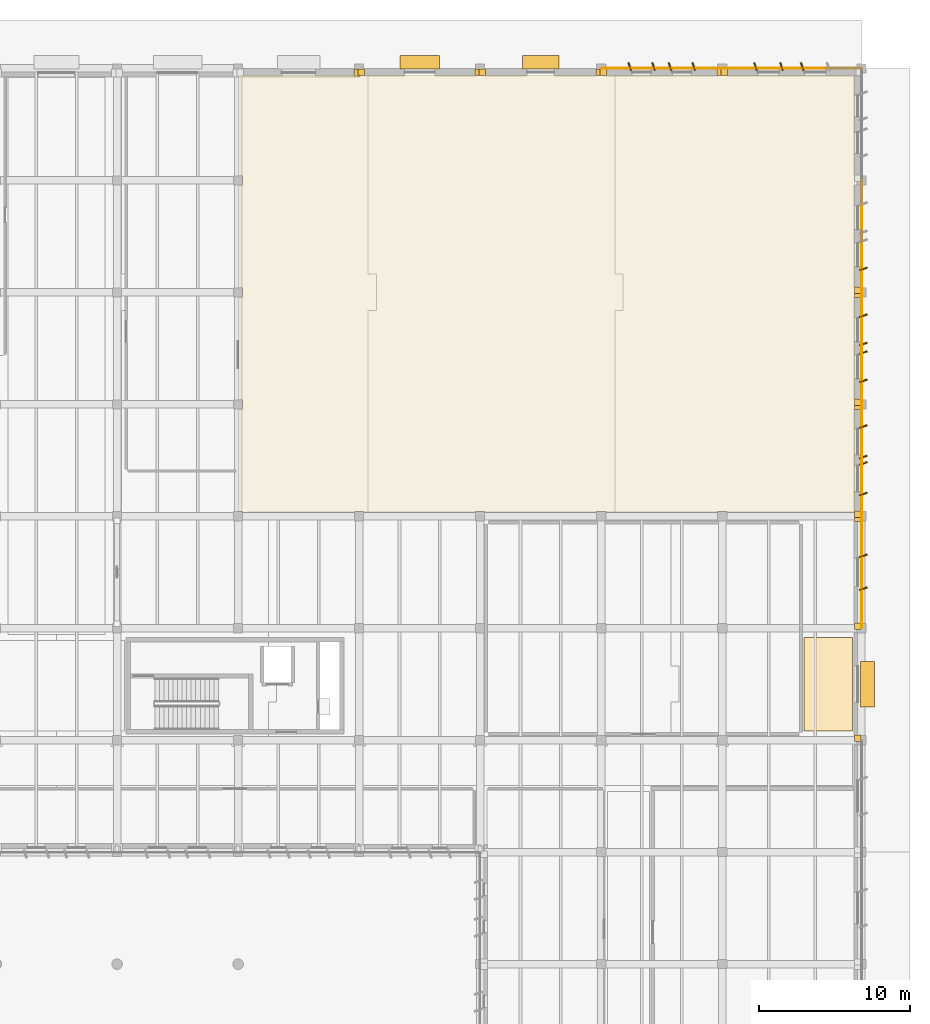
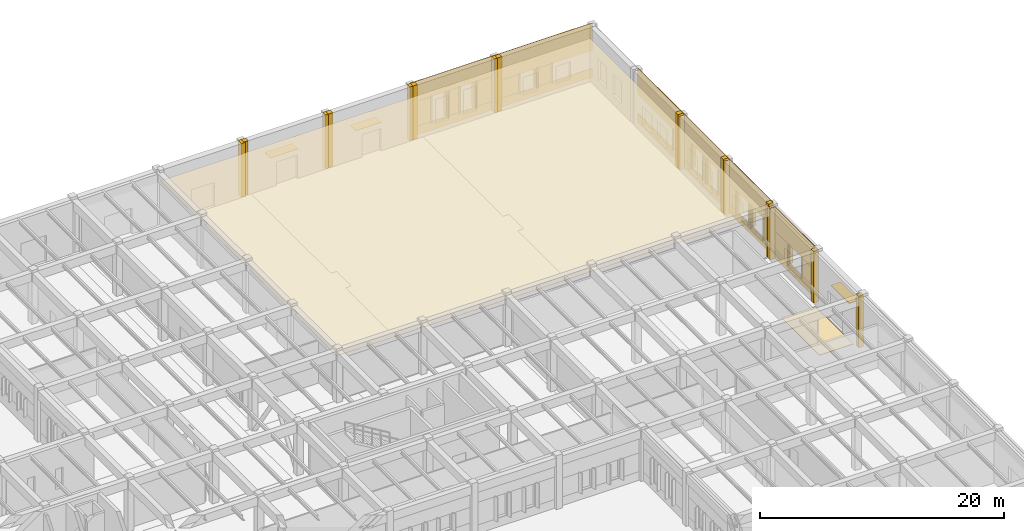
# One storey, part 55 of 56: 62 coverings, 3 shading devices.
"""IFC4 building model written with IfcOpenShell, lengths in metres."""

import ifcopenshell
import ifcopenshell.guid

model = None  # the IFC model being written
_history = None  # IfcOwnerHistory: only IFC2X3 demands one
_inside = {}  # id of a spatial element -> (the spatial element, [elements in it])
_under = {}  # id of a project, library or spatial element -> (it, [spatial elements below it])
_declared = {}  # id of a project -> (the project, [libraries it declares])
_typed = {}  # id of a type object -> (the type object, [elements of that type])
_made_of = {}  # id of a material, layer set ... -> (it, [elements and type objects made of it])


def new_model(schema):
    """Start an empty IFC model of exactly this schema.

    Asked for "IFC4X3", IfcOpenShell would pick the latest addendum, in which some entities
    have other attributes; the version numbers below select the first issue.
    IFC2X3 requires an IfcOwnerHistory on every rooted entity: one is made here for all.
    """
    global model, _history
    if schema == "IFC4X3":
        model = ifcopenshell.file(schema_version=(4, 3, 0, 0))
    else:
        model = ifcopenshell.file(schema=schema)
    _inside.clear()
    _under.clear()
    _declared.clear()
    _typed.clear()
    _made_of.clear()
    _history = None
    if model.schema == "IFC2X3":
        org = make("IfcOrganization", Name="unknown")
        user = make(
            "IfcPersonAndOrganization",
            ThePerson=make("IfcPerson", FamilyName="unknown"),
            TheOrganization=org,
        )
        app = make(
            "IfcApplication",
            ApplicationDeveloper=org,
            Version="unknown",
            ApplicationFullName="unknown",
            ApplicationIdentifier="unknown",
        )
        _history = make(
            "IfcOwnerHistory",
            OwningUser=user,
            OwningApplication=app,
            ChangeAction="ADDED",
            CreationDate=0,
        )
    return model


def make(cls, **values):
    """One entity of the class cls with the attributes given. An attribute that is None is left unset."""
    return model.create_entity(
        cls, **{name: value for name, value in values.items() if value is not None}
    )


def rooted(cls, **values):
    """An entity with a GlobalId (a new one), such as an element, a storey or a relation."""
    return make(cls, GlobalId=ifcopenshell.guid.new(), OwnerHistory=_history, **values)


def si_unit(unit_type, name, prefix=None):
    """IfcSIUnit, for example si_unit("LENGTHUNIT", "METRE", prefix="MILLI")."""
    return make("IfcSIUnit", UnitType=unit_type, Prefix=prefix, Name=name)


def assignment(units):
    """IfcUnitAssignment: the units of a project."""
    return None if units is None else make("IfcUnitAssignment", Units=units)


def point(xyz):
    """IfcCartesianPoint."""
    return None if xyz is None else make("IfcCartesianPoint", Coordinates=xyz)


def direction(xyz):
    """IfcDirection."""
    return None if xyz is None else make("IfcDirection", DirectionRatios=xyz)


def frame(location, z_axis=None, x_axis=None):
    """IfcAxis2Placement3D, a coordinate frame: its origin and axes. An axis left out is left unset."""
    return make(
        "IfcAxis2Placement3D",
        Location=point(location),
        Axis=direction(z_axis),
        RefDirection=direction(x_axis),
    )


def frame_2d(location, x_axis=None):
    """IfcAxis2Placement2D, a coordinate frame in the plane: its origin and x axis."""
    return make(
        "IfcAxis2Placement2D", Location=point(location), RefDirection=direction(x_axis)
    )


def origin():
    """The frame at (0, 0, 0) with its axes left unset."""
    return frame((0.0, 0.0, 0.0))


def origin_2d():
    """The frame at (0, 0) in the plane with its x axis left unset."""
    return frame_2d((0.0, 0.0))


def place(relative_to, where):
    """IfcLocalPlacement: puts the frame where relative to a parent placement (None: the world)."""
    return make(
        "IfcLocalPlacement", PlacementRelTo=relative_to, RelativePlacement=where
    )


def context(
    kind, dimensions, precision=None, world=None, true_north=None, identifier=None
):
    """IfcGeometricRepresentationContext, for example the 3D "Model" context."""
    return make(
        "IfcGeometricRepresentationContext",
        ContextIdentifier=identifier,
        ContextType=kind,
        CoordinateSpaceDimension=dimensions,
        Precision=precision,
        WorldCoordinateSystem=world,
        TrueNorth=true_north,
    )


def subcontext(parent, identifier, kind, view, scale=None):
    """IfcGeometricRepresentationSubContext, for example "Body" below "Model"."""
    return make(
        "IfcGeometricRepresentationSubContext",
        ContextIdentifier=identifier,
        ContextType=kind,
        ParentContext=parent,
        TargetScale=scale,
        TargetView=view,
    )


def project(units=None, contexts=None):
    """IfcProject with its units and contexts."""
    return rooted(
        "IfcProject",
        Name="project",
        RepresentationContexts=contexts,
        UnitsInContext=assignment(units),
    )


def spatial(cls, under=None, at=None, **own):
    """A site, building, storey or space (cls), placed at a placement, below another one or the project."""
    s = rooted(cls, ObjectPlacement=at, **own)
    if under is not None:
        _under.setdefault(under.id(), (under, []))[1].append(s)
    return s


def polyline(points):
    """IfcPolyline through the points."""
    return make("IfcPolyline", Points=[point(p) for p in points])


def profile(cls, at=None, kind="AREA", **sizes):
    """A parametric profile (cls). Its sizes go by their IFC names, for example OverallWidth=200.0."""
    return make(cls, ProfileType=kind, Position=at, **sizes)


def rectangle(**sizes):
    """IfcRectangleProfileDef."""
    return profile("IfcRectangleProfileDef", **sizes)


def outline(outer, holes=None, kind="AREA"):
    """IfcArbitraryClosedProfileDef: a profile drawn as a closed curve; with holes, ...WithVoids."""
    if holes is None:
        return make("IfcArbitraryClosedProfileDef", ProfileType=kind, OuterCurve=outer)
    return make(
        "IfcArbitraryProfileDefWithVoids",
        ProfileType=kind,
        OuterCurve=outer,
        InnerCurves=holes,
    )


def extrude(swept, where, along, depth):
    """IfcExtrudedAreaSolid: the profile swept, set in the frame where, extruded along a direction by depth."""
    return make(
        "IfcExtrudedAreaSolid",
        SweptArea=swept,
        Position=where,
        ExtrudedDirection=direction(along),
        Depth=depth,
    )


def shape(context_of_items, identifier, shape_type, items):
    """IfcShapeRepresentation: the items that make up one representation, for example the "Body"."""
    return make(
        "IfcShapeRepresentation",
        ContextOfItems=context_of_items,
        RepresentationIdentifier=identifier,
        RepresentationType=shape_type,
        Items=items,
    )


def material(Name=None, Category=None):
    """IfcMaterial."""
    return make("IfcMaterial", Name=Name, Category=Category)


def layer(
    of_material, thickness, ventilated=None, Name=None, Category=None, Priority=None
):
    """IfcMaterialLayer: one layer of a wall or slab, of a material (None: an air gap)."""
    return make(
        "IfcMaterialLayer",
        Material=of_material,
        LayerThickness=thickness,
        IsVentilated=ventilated,
        Name=Name,
        Category=Category,
        Priority=Priority,
    )


def layer_set(layers, Name=None):
    """IfcMaterialLayerSet."""
    return make("IfcMaterialLayerSet", MaterialLayers=layers, LayerSetName=Name)


def made_of(thing, what):
    """Note that an element or type object is made of a material, layer set ...; save() writes the relation."""
    if what is not None:
        _made_of.setdefault(what.id(), (what, []))[1].append(thing)
    return thing


def type_object(cls, material=None, **own):
    """A type object (cls), such as IfcWallType, which elements share."""
    return made_of(rooted(cls, **own), material)


def element(
    cls,
    number,
    at=None,
    inside=None,
    cuts=None,
    type_object=None,
    material=None,
    context=None,
    identifier="Body",
    shape_type=None,
    held_by="IfcProductDefinitionShape",
    body=None,
    shapes=None,
    **own,
):
    """One element of the class cls, such as IfcWall. Its Tag is "e" and its number.

    at: its placement. inside: the storey or other place that contains it. cuts: it is an
    opening in that element (IfcRelVoidsElement). A single representation is given by context,
    identifier, shape_type and body (its items); several are given by shapes. held_by: the class
    of the entity that holds the representations. save() writes the other relations.
    """
    e = rooted(cls, Tag="e%d" % number, ObjectPlacement=at, **own)
    if body is not None:
        shapes = [shape(context, identifier, shape_type, body)]
    if shapes is not None:
        e.Representation = make(held_by, Representations=shapes)
    if inside is not None:
        _inside.setdefault(inside.id(), (inside, []))[1].append(e)
    if cuts is not None:
        rooted(
            "IfcRelVoidsElement", RelatingBuildingElement=cuts, RelatedOpeningElement=e
        )
    if type_object is not None:
        _typed.setdefault(type_object.id(), (type_object, []))[1].append(e)
    return made_of(e, material)


def aggregate(whole, parts):
    """IfcRelAggregates: a whole, such as a stair, and the parts it consists of."""
    return rooted("IfcRelAggregates", RelatingObject=whole, RelatedObjects=parts)


def save(model, path):
    """Write the relations noted so far, then the file.

    IfcRelAggregates (storeys below a building ...), IfcRelContainedInSpatialStructure (elements
    in a storey), IfcRelDefinesByType, IfcRelAssociatesMaterial and IfcRelDeclares: one each for
    every whole, place, type object, material and project.
    """
    for whole, parts in _under.values():
        aggregate(whole, parts)
    for where, things in _inside.values():
        rooted(
            "IfcRelContainedInSpatialStructure",
            RelatedElements=things,
            RelatingStructure=where,
        )
    for kind, things in _typed.values():
        rooted("IfcRelDefinesByType", RelatedObjects=things, RelatingType=kind)
    for what, things in _made_of.values():
        rooted("IfcRelAssociatesMaterial", RelatedObjects=things, RelatingMaterial=what)
    for by, libraries in _declared.values():
        rooted("IfcRelDeclares", RelatingContext=by, RelatedDefinitions=libraries)
    model.write(path)


model = new_model("IFC4")

# Units and contexts
model_context = context("Model", 3, precision=1e-05, world=origin(), true_north=direction((0.0, 1.0)))
body_context = subcontext(model_context, "Body", "Model", "MODEL_VIEW")
ifc_project = project(units=[si_unit("LENGTHUNIT", "METRE"), si_unit("AREAUNIT", "SQUARE_METRE"), si_unit("VOLUMEUNIT", "CUBIC_METRE"), si_unit("PLANEANGLEUNIT", "RADIAN"), si_unit("MASSUNIT", "GRAM", prefix="KILO")], contexts=[model_context])

# Site, building, storey
site_placement = place(None, origin())
site = spatial("IfcSite", under=ifc_project, at=site_placement, CompositionType="ELEMENT")
building_placement = place(site_placement, origin())
building = spatial("IfcBuilding", under=site, at=building_placement, Name="Valkorina Park Police Headquarters", CompositionType="ELEMENT")
storey_placement = place(building_placement, origin())
storey = spatial("IfcBuildingStorey", under=building, at=storey_placement, Name="L01", CompositionType="ELEMENT", Elevation=0.0)

# Coverings
ifc_material_1 = material(Name="Acoustic mineral board")
ifc_layer_1 = layer(ifc_material_1, 0.02490234375)
ifc_layer_set_1 = layer_set([ifc_layer_1], Name="Acoustic mineral board")
covering_type_1 = type_object("IfcCoveringType", Name="COV-CEILING-ACOUST", PredefinedType="CEILING", material=ifc_layer_set_1)
covering_1_placement = place(storey_placement, frame((0.0, 0.0, 4.264892578125)))
element("IfcCovering", 1, at=covering_1_placement, inside=storey, type_object=covering_type_1, Name="Tactical Gymnasium Acoustic Suspended Ceiling", PredefinedType="CEILING", context=body_context, shape_type="SweptSolid", body=[
    extrude(outline(polyline([(120.850830078125, 81.699951171875), (121.10009765625, 81.699951171875), (121.10009765625, 81.65087890625), (121.102294921875, 81.6494140625), (121.109375, 81.64599609375), (121.11669921875, 81.643310546875), (121.12451171875, 81.6416015625), (121.132080078125, 81.640380859375), (121.139892578125, 81.639892578125), (128.4599609375, 81.639892578125), (128.4677734375, 81.640380859375), (128.4755859375, 81.6416015625), (128.483154296875, 81.643310546875), (128.490478515625, 81.64599609375), (128.497802734375, 81.6494140625), (128.5, 81.65087890625), (128.5, 81.699951171875), (129.10009765625, 81.699951171875), (129.10009765625, 81.65087890625), (129.102294921875, 81.6494140625), (129.109375, 81.64599609375), (129.11669921875, 81.643310546875), (129.12451171875, 81.6416015625), (129.132080078125, 81.640380859375), (129.139892578125, 81.639892578125), (136.4599609375, 81.639892578125), (136.4677734375, 81.640380859375), (136.4755859375, 81.6416015625), (136.483154296875, 81.643310546875), (136.490478515625, 81.64599609375), (136.497802734375, 81.6494140625), (136.5, 81.65087890625), (136.5, 81.699951171875), (137.10009765625, 81.699951171875), (137.10009765625, 81.65087890625), (137.102294921875, 81.6494140625), (137.109375, 81.64599609375), (137.11669921875, 81.643310546875), (137.12451171875, 81.6416015625), (137.132080078125, 81.640380859375), (137.139892578125, 81.639892578125), (144.4599609375, 81.639892578125), (144.4677734375, 81.640380859375), (144.4755859375, 81.6416015625), (144.483154296875, 81.643310546875), (144.490478515625, 81.64599609375), (144.497802734375, 81.6494140625), (144.5, 81.65087890625), (144.5, 81.699951171875), (145.10009765625, 81.699951171875), (145.10009765625, 81.65087890625), (145.102294921875, 81.6494140625), (145.109375, 81.64599609375), (145.11669921875, 81.643310546875), (145.12451171875, 81.6416015625), (145.132080078125, 81.640380859375), (145.139892578125, 81.639892578125), (152.4599609375, 81.639892578125), (152.4677734375, 81.640380859375), (152.4755859375, 81.6416015625), (152.483154296875, 81.643310546875), (152.490478515625, 81.64599609375), (152.497802734375, 81.6494140625), (152.5, 81.65087890625), (152.5, 81.699951171875), (153.10009765625, 81.699951171875), (153.10009765625, 81.65087890625), (153.102294921875, 81.6494140625), (153.109375, 81.64599609375), (153.11669921875, 81.643310546875), (153.12451171875, 81.6416015625), (153.132080078125, 81.640380859375), (153.139892578125, 81.639892578125), (161.47998046875, 81.639892578125), (161.48779296875, 81.640380859375), (161.49560546875, 81.6416015625), (161.503173828125, 81.643310546875), (161.510498046875, 81.64599609375), (161.517578125, 81.6494140625), (161.5244140625, 81.653564453125), (161.53076171875, 81.658203125), (161.53662109375, 81.663330078125), (161.541748046875, 81.669189453125), (161.54638671875, 81.675537109375), (161.550537109375, 81.682373046875), (161.553955078125, 81.689453125), (161.556640625, 81.69677734375), (161.55859375, 81.704345703125), (161.5595703125, 81.712158203125), (161.56005859375, 81.719970703125), (161.56005859375, 110.47998046875), (161.5595703125, 110.48779296875), (161.55859375, 110.49560546875), (161.556640625, 110.503173828125), (161.553955078125, 110.510498046875), (161.550537109375, 110.517578125), (161.54638671875, 110.5244140625), (161.541748046875, 110.53076171875), (161.53662109375, 110.53662109375), (161.53076171875, 110.541748046875), (161.5244140625, 110.54638671875), (161.517578125, 110.550537109375), (161.510498046875, 110.553955078125), (161.503173828125, 110.556640625), (161.49560546875, 110.55859375), (161.48779296875, 110.5595703125), (161.47998046875, 110.56005859375), (120.919921875, 110.56005859375), (120.912109375, 110.5595703125), (120.904296875, 110.55859375), (120.896728515625, 110.556640625), (120.889404296875, 110.553955078125), (120.88232421875, 110.550537109375), (120.87548828125, 110.54638671875), (120.869140625, 110.541748046875), (120.86328125, 110.53662109375), (120.858154296875, 110.53076171875), (120.853515625, 110.5244140625), (120.849365234375, 110.517578125), (120.84619140625, 110.510498046875), (120.843505859375, 110.503173828125), (120.841552734375, 110.49560546875), (120.84033203125, 110.48779296875), (120.840087890625, 110.47998046875), (120.840087890625, 103.93994140625), (120.84033203125, 103.93212890625), (120.841552734375, 103.92431640625), (120.843505859375, 103.916748046875), (120.84619140625, 103.909423828125), (120.849365234375, 103.90234375), (120.850830078125, 103.89990234375), (121.10009765625, 103.89990234375), (121.10009765625, 103.300048828125), (120.850830078125, 103.300048828125), (120.849365234375, 103.297607421875), (120.84619140625, 103.29052734375), (120.843505859375, 103.283203125), (120.841552734375, 103.275634765625), (120.84033203125, 103.267822265625), (120.840087890625, 103.260009765625), (120.840087890625, 96.5400390625), (120.84033203125, 96.5322265625), (120.841552734375, 96.5244140625), (120.843505859375, 96.516845703125), (120.84619140625, 96.509521484375), (120.849365234375, 96.502197265625), (120.850830078125, 96.5), (121.10009765625, 96.5), (121.10009765625, 95.89990234375), (120.850830078125, 95.89990234375), (120.849365234375, 95.897705078125), (120.84619140625, 95.890625), (120.843505859375, 95.88330078125), (120.841552734375, 95.87548828125), (120.84033203125, 95.867919921875), (120.840087890625, 95.860107421875), (120.840087890625, 89.139892578125), (120.84033203125, 89.132080078125), (120.841552734375, 89.12451171875), (120.843505859375, 89.11669921875), (120.84619140625, 89.109375), (120.849365234375, 89.102294921875), (120.850830078125, 89.10009765625), (121.10009765625, 89.10009765625), (121.10009765625, 88.5), (120.850830078125, 88.5), (120.849365234375, 88.497802734375), (120.84619140625, 88.490478515625), (120.843505859375, 88.483154296875), (120.841552734375, 88.4755859375), (120.84033203125, 88.4677734375), (120.840087890625, 88.4599609375), (120.840087890625, 81.739990234375), (120.84033203125, 81.732177734375), (120.841552734375, 81.724365234375), (120.843505859375, 81.716796875), (120.84619140625, 81.70947265625), (120.849365234375, 81.702392578125), (120.850830078125, 81.699951171875)])), origin(), (0.0, 0.0, 1.0), 0.025146484375),
])
ifc_material_2 = material(Name="Precast concrete C40/50", Category="concrete")
ifc_layer_2 = layer(ifc_material_2, 0.044921875)
ifc_layer_set_2 = layer_set([ifc_layer_2], Name="Precast concrete C40/50")
covering_type_2 = type_object("IfcCoveringType", Name="COV-CLAD-DOLOMITE", PredefinedType="CLADDING", material=ifc_layer_set_2)
covering_2_placement = place(storey_placement, frame((128.659912109375, 110.7099609375, 0.0), z_axis=(0.0, 0.0, 1.0), x_axis=(1.0, 0.0, 0.0)))
element("IfcCovering", 2, at=covering_2_placement, inside=storey, type_object=covering_type_2, Name="L01 Exterior Joint Closure Pilaster B 0435", PredefinedType="CLADDING", context=body_context, shape_type="SweptSolid", body=[
    extrude(rectangle(XDim=0.419921875, YDim=0.52197265625, at=origin_2d()), origin(), (0.0, 0.0, 1.0), 5.39990234375),
])
for number, where, z_axis, x_axis, name in (
    (3, (128.93994140625, 110.75, 0.0), (0.0, 0.0, 1.0), (1.0, 0.0, 0.0), "L01 Exterior Joint Closure Pilaster A 0436"),
    (4, (136.659912109375, 110.75, 0.0), (0.0, 0.0, 1.0), (1.0, 0.0, 0.0), "L01 Exterior Joint Closure Pilaster B 0437"),
    (5, (136.93994140625, 110.75, 0.0), (0.0, 0.0, 1.0), (1.0, 0.0, 0.0), "L01 Exterior Joint Closure Pilaster A 0438"),
    (6, (144.659912109375, 110.75, 0.0), (0.0, 0.0, 1.0), (1.0, 0.0, 0.0), "L01 Exterior Joint Closure Pilaster B 0439"),
    (7, (144.93994140625, 110.75, 0.0), (0.0, 0.0, 1.0), (1.0, 0.0, 0.0), "L01 Exterior Joint Closure Pilaster A 0440"),
    (8, (152.659912109375, 110.75, 0.0), (0.0, 0.0, 1.0), (1.0, 0.0, 0.0), "L01 Exterior Joint Closure Pilaster B 0441"),
):
    element("IfcCovering", number, at=place(storey_placement, frame(where, z_axis=z_axis, x_axis=x_axis)), inside=storey, type_object=covering_type_2, Name=name, PredefinedType="CLADDING", context=body_context, shape_type="SweptSolid", body=[
        extrude(rectangle(XDim=0.419921875, YDim=0.449951171875, at=origin_2d()), origin(), (0.0, 0.0, 1.0), 5.39990234375),
    ])
for number, where, z_axis, x_axis, name in (
    (9, (146.6865234375, 111.1201171875, 0.780029296875), (0.0, 0.0, 1.0), (-0.317304656405, 0.948323655206, 0.0), "Slanted 18.5-deg Precast Window Slot Fin 0442"),
    (10, (148.256591796875, 111.1201171875, 0.780029296875), (0.0, 0.0, 1.0), (-0.317304656405, 0.948323655206, 0.0), "Slanted 18.5-deg Precast Window Slot Fin 0443"),
    (11, (149.343505859375, 111.1201171875, 0.780029296875), (0.0, 0.0, 1.0), (-0.317304656405, 0.948323655206, 0.0), "Slanted 18.5-deg Precast Window Slot Fin 0444"),
    (12, (150.913330078125, 111.1201171875, 0.780029296875), (0.0, 0.0, 1.0), (-0.317304656405, 0.948323655206, 0.0), "Slanted 18.5-deg Precast Window Slot Fin 0445"),
):
    element("IfcCovering", number, at=place(storey_placement, frame(where, z_axis=z_axis, x_axis=x_axis)), inside=storey, type_object=covering_type_2, Name=name, PredefinedType="CLADDING", context=body_context, shape_type="SweptSolid", body=[
        extrude(rectangle(XDim=0.5400390625, YDim=0.090087890625, at=origin_2d()), origin(), (0.0, 0.0, 1.0), 2.68994140625),
    ])
covering_3_placement = place(storey_placement, frame((144.820068359375, 111.014892578125, 0.0), z_axis=(0.0, 0.0, 1.0), x_axis=(1.0, 0.0, 0.0)))
element("IfcCovering", 13, at=covering_3_placement, inside=storey, type_object=covering_type_2, Name="L01 Calm Concrete Base Sill Spandrel 0446", PredefinedType="CLADDING", context=body_context, shape_type="SweptSolid", body=[
    extrude(rectangle(XDim=7.9599609375, YDim=0.044921875, at=frame_2d((3.97998046875, 0.0))), origin(), (0.0, 0.0, 1.0), 0.8701171875),
])
covering_4_placement = place(storey_placement, frame((144.820068359375, 111.014892578125, 3.3798828125), z_axis=(0.0, 0.0, 1.0), x_axis=(1.0, 0.0, 0.0)))
element("IfcCovering", 14, at=covering_4_placement, inside=storey, type_object=covering_type_2, Name="L01 Calm Concrete Base Lintel Spandrel 0447", PredefinedType="CLADDING", context=body_context, shape_type="SweptSolid", body=[
    extrude(rectangle(XDim=7.9599609375, YDim=0.044921875, at=frame_2d((3.97998046875, 0.0))), origin(), (0.0, 0.0, 1.0), 2.02001953125),
])
covering_5_placement = place(storey_placement, frame((144.820068359375, 111.014892578125, 0.8701171875), z_axis=(0.0, 0.0, 1.0), x_axis=(1.0, 0.0, 0.0)))
element("IfcCovering", 15, at=covering_5_placement, inside=storey, type_object=covering_type_2, Name="L01 Calm Concrete Base Slot Pier 0448", PredefinedType="CLADDING", context=body_context, shape_type="SweptSolid", body=[
    extrude(rectangle(XDim=1.9765625, YDim=0.044921875, at=frame_2d((0.98828125, 0.0))), origin(), (0.0, 0.0, 1.0), 2.509765625),
])
covering_6_placement = place(storey_placement, frame((148.146484375, 111.014892578125, 0.8701171875), z_axis=(0.0, 0.0, 1.0), x_axis=(1.0, 0.0, 0.0)))
element("IfcCovering", 16, at=covering_6_placement, inside=storey, type_object=covering_type_2, Name="L01 Calm Concrete Base Slot Pier 0449", PredefinedType="CLADDING", context=body_context, shape_type="SweptSolid", body=[
    extrude(rectangle(XDim=1.306884765625, YDim=0.044921875, at=frame_2d((0.6533203125, 0.0))), origin(), (0.0, 0.0, 1.0), 2.509765625),
])
covering_7_placement = place(storey_placement, frame((150.803466796875, 111.014892578125, 0.8701171875), z_axis=(0.0, 0.0, 1.0), x_axis=(1.0, 0.0, 0.0)))
element("IfcCovering", 17, at=covering_7_placement, inside=storey, type_object=covering_type_2, Name="L01 Calm Concrete Base Slot Pier 0450", PredefinedType="CLADDING", context=body_context, shape_type="SweptSolid", body=[
    extrude(rectangle(XDim=1.9765625, YDim=0.044921875, at=frame_2d((0.98828125, 0.0))), origin(), (0.0, 0.0, 1.0), 2.509765625),
])
covering_8_placement = place(storey_placement, frame((152.93994140625, 110.75, 0.0), z_axis=(0.0, 0.0, 1.0), x_axis=(1.0, 0.0, 0.0)))
element("IfcCovering", 18, at=covering_8_placement, inside=storey, type_object=covering_type_2, Name="L01 Exterior Joint Closure Pilaster A 0451", PredefinedType="CLADDING", context=body_context, shape_type="SweptSolid", body=[
    extrude(rectangle(XDim=0.419921875, YDim=0.449951171875, at=origin_2d()), origin(), (0.0, 0.0, 1.0), 5.39990234375),
])
for number, where, z_axis, x_axis, name in (
    (19, (154.99560546875, 111.1201171875, 0.77978515625), (0.0, 0.0, 1.0), (-0.317304656405, 0.948323655206, 0.0), "Slanted 18.5-deg Precast Window Slot Fin 0453"),
    (20, (156.715576171875, 111.1201171875, 0.77978515625), (0.0, 0.0, 1.0), (-0.317304656405, 0.948323655206, 0.0), "Slanted 18.5-deg Precast Window Slot Fin 0454"),
    (21, (158.08447265625, 111.1201171875, 0.77978515625), (0.0, 0.0, 1.0), (-0.317304656405, 0.948323655206, 0.0), "Slanted 18.5-deg Precast Window Slot Fin 0455"),
):
    element("IfcCovering", number, at=place(storey_placement, frame(where, z_axis=z_axis, x_axis=x_axis)), inside=storey, type_object=covering_type_2, Name=name, PredefinedType="CLADDING", context=body_context, shape_type="SweptSolid", body=[
        extrude(rectangle(XDim=0.5400390625, YDim=0.090087890625, at=origin_2d()), origin(), (0.0, 0.0, 1.0), 1.989990234375),
    ])
covering_9_placement = place(storey_placement, frame((152.820068359375, 111.014892578125, 0.0), z_axis=(0.0, 0.0, 1.0), x_axis=(1.0, 0.0, 0.0)))
element("IfcCovering", 22, at=covering_9_placement, inside=storey, type_object=covering_type_2, Name="L01 Calm Concrete Base Sill Spandrel 0457", PredefinedType="CLADDING", context=body_context, shape_type="SweptSolid", body=[
    extrude(rectangle(XDim=9.159912109375, YDim=0.044921875, at=frame_2d((4.580078125, 0.0))), origin(), (0.0, 0.0, 1.0), 0.8701171875),
])
covering_10_placement = place(storey_placement, frame((152.820068359375, 111.014892578125, 2.679931640625), z_axis=(0.0, 0.0, 1.0), x_axis=(1.0, 0.0, 0.0)))
element("IfcCovering", 23, at=covering_10_placement, inside=storey, type_object=covering_type_2, Name="L01 Calm Concrete Base Lintel Spandrel 0458", PredefinedType="CLADDING", context=body_context, shape_type="SweptSolid", body=[
    extrude(rectangle(XDim=9.159912109375, YDim=0.044921875, at=frame_2d((4.580078125, 0.0))), origin(), (0.0, 0.0, 1.0), 2.719970703125),
])
covering_11_placement = place(storey_placement, frame((152.820068359375, 111.014892578125, 0.8701171875), z_axis=(0.0, 0.0, 1.0), x_axis=(1.0, 0.0, 0.0)))
element("IfcCovering", 24, at=covering_11_placement, inside=storey, type_object=covering_type_2, Name="L01 Calm Concrete Base Slot Pier 0459", PredefinedType="CLADDING", context=body_context, shape_type="SweptSolid", body=[
    extrude(rectangle(XDim=2.28564453125, YDim=0.044921875, at=frame_2d((1.142822265625, 0.0))), origin(), (0.0, 0.0, 1.0), 1.809814453125),
])
covering_12_placement = place(storey_placement, frame((156.605712890625, 111.014892578125, 0.8701171875), z_axis=(0.0, 0.0, 1.0), x_axis=(1.0, 0.0, 0.0)))
element("IfcCovering", 25, at=covering_12_placement, inside=storey, type_object=covering_type_2, Name="L01 Calm Concrete Base Slot Pier 0460", PredefinedType="CLADDING", context=body_context, shape_type="SweptSolid", body=[
    extrude(rectangle(XDim=1.588623046875, YDim=0.044921875, at=frame_2d((0.79443359375, 0.0))), origin(), (0.0, 0.0, 1.0), 1.809814453125),
])
covering_13_placement = place(storey_placement, frame((161.75, 96.340087890625, 0.0), z_axis=(0.0, 0.0, 1.0), x_axis=(0.0, 1.0, 0.0)))
element("IfcCovering", 26, at=covering_13_placement, inside=storey, type_object=covering_type_2, Name="L01 Exterior Joint Closure Pilaster B 0472", PredefinedType="CLADDING", context=body_context, shape_type="SweptSolid", body=[
    extrude(rectangle(XDim=0.419921875, YDim=0.449951171875, at=origin_2d()), origin(), (0.0, 0.0, 1.0), 5.39990234375),
])
covering_14_placement = place(storey_placement, frame((162.1201171875, 97.74462890625, 0.77978515625), z_axis=(0.0, 0.0, 1.0), x_axis=(0.948323655206, 0.317304656405, 0.0)))
element("IfcCovering", 27, at=covering_14_placement, inside=storey, type_object=covering_type_2, Name="Slanted 18.5-deg Precast Window Slot Fin 0476", PredefinedType="CLADDING", context=body_context, shape_type="SweptSolid", body=[
    extrude(rectangle(XDim=0.5400390625, YDim=0.090087890625, at=origin_2d()), origin(), (0.0, 0.0, 1.0), 2.090087890625),
])
covering_15_placement = place(storey_placement, frame((162.014892578125, 103.580078125, 0.0), z_axis=(0.0, 0.0, 1.0), x_axis=(0.0, -1.0, 0.0)))
element("IfcCovering", 28, at=covering_15_placement, inside=storey, type_object=covering_type_2, Name="L01 Calm Concrete Base Sill Spandrel 0477", PredefinedType="CLADDING", context=body_context, shape_type="SweptSolid", body=[
    extrude(rectangle(XDim=7.360107421875, YDim=0.044921875, at=frame_2d((3.68017578125, 0.0))), origin(), (0.0, 0.0, 1.0), 0.8701171875),
])
covering_16_placement = place(storey_placement, frame((162.014892578125, 103.580078125, 2.780029296875), z_axis=(0.0, 0.0, 1.0), x_axis=(0.0, -1.0, 0.0)))
element("IfcCovering", 29, at=covering_16_placement, inside=storey, type_object=covering_type_2, Name="L01 Calm Concrete Base Lintel Spandrel 0478", PredefinedType="CLADDING", context=body_context, shape_type="SweptSolid", body=[
    extrude(rectangle(XDim=7.360107421875, YDim=0.044921875, at=frame_2d((3.68017578125, 0.0))), origin(), (0.0, 0.0, 1.0), 2.619873046875),
])
covering_17_placement = place(storey_placement, frame((162.014892578125, 97.8544921875, 0.8701171875), z_axis=(0.0, 0.0, 1.0), x_axis=(0.0, -1.0, 0.0)))
element("IfcCovering", 30, at=covering_17_placement, inside=storey, type_object=covering_type_2, Name="L01 Calm Concrete Base Slot Pier 0481", PredefinedType="CLADDING", context=body_context, shape_type="SweptSolid", body=[
    extrude(rectangle(XDim=1.634521484375, YDim=0.044921875, at=frame_2d((0.8173828125, 0.0))), origin(), (0.0, 0.0, 1.0), 1.909912109375),
])
for number, where, z_axis, x_axis, name in (
    (31, (161.75, 96.06005859375, 0.0), (0.0, 0.0, 1.0), (0.0, 1.0, 0.0), "L01 Exterior Joint Closure Pilaster A 0482"),
    (32, (161.75, 88.93994140625, 0.0), (0.0, 0.0, 1.0), (0.0, 1.0, 0.0), "L01 Exterior Joint Closure Pilaster B 0483"),
):
    element("IfcCovering", number, at=place(storey_placement, frame(where, z_axis=z_axis, x_axis=x_axis)), inside=storey, type_object=covering_type_2, Name=name, PredefinedType="CLADDING", context=body_context, shape_type="SweptSolid", body=[
        extrude(rectangle(XDim=0.419921875, YDim=0.449951171875, at=origin_2d()), origin(), (0.0, 0.0, 1.0), 5.39990234375),
    ])
for number, where, z_axis, x_axis, name in (
    (33, (162.1201171875, 94.655517578125, 0.77978515625), (0.0, 0.0, 1.0), (0.948323655206, 0.317304656405, 0.0), "Slanted 18.5-deg Precast Window Slot Fin 0484"),
    (34, (162.1201171875, 92.785400390625, 0.77978515625), (0.0, 0.0, 1.0), (0.948323655206, 0.317304656405, 0.0), "Slanted 18.5-deg Precast Window Slot Fin 0485"),
    (35, (162.1201171875, 92.214599609375, 0.77978515625), (0.0, 0.0, 1.0), (0.948323655206, 0.317304656405, 0.0), "Slanted 18.5-deg Precast Window Slot Fin 0486"),
    (36, (162.1201171875, 90.344482421875, 0.77978515625), (0.0, 0.0, 1.0), (0.948323655206, 0.317304656405, 0.0), "Slanted 18.5-deg Precast Window Slot Fin 0487"),
):
    element("IfcCovering", number, at=place(storey_placement, frame(where, z_axis=z_axis, x_axis=x_axis)), inside=storey, type_object=covering_type_2, Name=name, PredefinedType="CLADDING", context=body_context, shape_type="SweptSolid", body=[
        extrude(rectangle(XDim=0.5400390625, YDim=0.090087890625, at=origin_2d()), origin(), (0.0, 0.0, 1.0), 2.489990234375),
    ])
covering_18_placement = place(storey_placement, frame((162.014892578125, 96.179931640625, 0.0), z_axis=(0.0, 0.0, 1.0), x_axis=(0.0, -1.0, 0.0)))
element("IfcCovering", 37, at=covering_18_placement, inside=storey, type_object=covering_type_2, Name="L01 Calm Concrete Base Sill Spandrel 0488", PredefinedType="CLADDING", context=body_context, shape_type="SweptSolid", body=[
    extrude(rectangle(XDim=7.35986328125, YDim=0.044921875, at=frame_2d((3.679931640625, 0.0))), origin(), (0.0, 0.0, 1.0), 0.8701171875),
])
covering_19_placement = place(storey_placement, frame((162.014892578125, 96.179931640625, 3.179931640625), z_axis=(0.0, 0.0, 1.0), x_axis=(0.0, -1.0, 0.0)))
element("IfcCovering", 38, at=covering_19_placement, inside=storey, type_object=covering_type_2, Name="L01 Calm Concrete Base Lintel Spandrel 0489", PredefinedType="CLADDING", context=body_context, shape_type="SweptSolid", body=[
    extrude(rectangle(XDim=7.35986328125, YDim=0.044921875, at=frame_2d((3.679931640625, 0.0))), origin(), (0.0, 0.0, 1.0), 2.219970703125),
])
covering_20_placement = place(storey_placement, frame((162.014892578125, 96.179931640625, 0.8701171875), z_axis=(0.0, 0.0, 1.0), x_axis=(0.0, -1.0, 0.0)))
element("IfcCovering", 39, at=covering_20_placement, inside=storey, type_object=covering_type_2, Name="L01 Calm Concrete Base Slot Pier 0490", PredefinedType="CLADDING", context=body_context, shape_type="SweptSolid", body=[
    extrude(rectangle(XDim=1.634521484375, YDim=0.044921875, at=frame_2d((0.8173828125, 0.0))), origin(), (0.0, 0.0, 1.0), 2.309814453125),
])
covering_21_placement = place(storey_placement, frame((162.014892578125, 92.8955078125, 0.8701171875), z_axis=(0.0, 0.0, 1.0), x_axis=(0.0, -1.0, 0.0)))
element("IfcCovering", 40, at=covering_21_placement, inside=storey, type_object=covering_type_2, Name="L01 Calm Concrete Base Slot Pier 0491", PredefinedType="CLADDING", context=body_context, shape_type="SweptSolid", body=[
    extrude(rectangle(XDim=0.791015625, YDim=0.044921875, at=frame_2d((0.3955078125, 0.0))), origin(), (0.0, 0.0, 1.0), 2.309814453125),
])
covering_22_placement = place(storey_placement, frame((162.014892578125, 90.45458984375, 0.8701171875), z_axis=(0.0, 0.0, 1.0), x_axis=(0.0, -1.0, 0.0)))
element("IfcCovering", 41, at=covering_22_placement, inside=storey, type_object=covering_type_2, Name="L01 Calm Concrete Base Slot Pier 0492", PredefinedType="CLADDING", context=body_context, shape_type="SweptSolid", body=[
    extrude(rectangle(XDim=1.634521484375, YDim=0.044921875, at=frame_2d((0.8173828125, 0.0))), origin(), (0.0, 0.0, 1.0), 2.309814453125),
])
for number, where, z_axis, x_axis, name in (
    (42, (161.75, 88.659912109375, 0.0), (0.0, 0.0, 1.0), (0.0, 1.0, 0.0), "L01 Exterior Joint Closure Pilaster A 0493"),
    (43, (161.75, 81.5400390625, 0.0), (0.0, 0.0, 1.0), (0.0, 1.0, 0.0), "L01 Exterior Joint Closure Pilaster B 0494"),
):
    element("IfcCovering", number, at=place(storey_placement, frame(where, z_axis=z_axis, x_axis=x_axis)), inside=storey, type_object=covering_type_2, Name=name, PredefinedType="CLADDING", context=body_context, shape_type="SweptSolid", body=[
        extrude(rectangle(XDim=0.419921875, YDim=0.449951171875, at=origin_2d()), origin(), (0.0, 0.0, 1.0), 5.39990234375),
    ])
for number, where, z_axis, x_axis, name in (
    (44, (162.1201171875, 87.330322265625, 0.77978515625), (0.0, 0.0, 1.0), (0.948323655206, 0.317304656405, 0.0), "Slanted 18.5-deg Precast Window Slot Fin 0495"),
    (45, (162.1201171875, 85.310302734375, 0.77978515625), (0.0, 0.0, 1.0), (0.948323655206, 0.317304656405, 0.0), "Slanted 18.5-deg Precast Window Slot Fin 0496"),
    (46, (162.1201171875, 84.8896484375, 0.77978515625), (0.0, 0.0, 1.0), (0.948323655206, 0.317304656405, 0.0), "Slanted 18.5-deg Precast Window Slot Fin 0497"),
    (47, (162.1201171875, 82.86962890625, 0.77978515625), (0.0, 0.0, 1.0), (0.948323655206, 0.317304656405, 0.0), "Slanted 18.5-deg Precast Window Slot Fin 0498"),
):
    element("IfcCovering", number, at=place(storey_placement, frame(where, z_axis=z_axis, x_axis=x_axis)), inside=storey, type_object=covering_type_2, Name=name, PredefinedType="CLADDING", context=body_context, shape_type="SweptSolid", body=[
        extrude(rectangle(XDim=0.5400390625, YDim=0.090087890625, at=origin_2d()), origin(), (0.0, 0.0, 1.0), 2.239990234375),
    ])
covering_23_placement = place(storey_placement, frame((162.014892578125, 88.780029296875, 0.0), z_axis=(0.0, 0.0, 1.0), x_axis=(0.0, -1.0, 0.0)))
element("IfcCovering", 48, at=covering_23_placement, inside=storey, type_object=covering_type_2, Name="L01 Calm Concrete Base Sill Spandrel 0499", PredefinedType="CLADDING", context=body_context, shape_type="SweptSolid", body=[
    extrude(rectangle(XDim=7.360107421875, YDim=0.044921875, at=frame_2d((3.68017578125, 0.0))), origin(), (0.0, 0.0, 1.0), 0.8701171875),
])
covering_24_placement = place(storey_placement, frame((162.014892578125, 88.780029296875, 2.929931640625), z_axis=(0.0, 0.0, 1.0), x_axis=(0.0, -1.0, 0.0)))
element("IfcCovering", 49, at=covering_24_placement, inside=storey, type_object=covering_type_2, Name="L01 Calm Concrete Base Lintel Spandrel 0500", PredefinedType="CLADDING", context=body_context, shape_type="SweptSolid", body=[
    extrude(rectangle(XDim=7.360107421875, YDim=0.044921875, at=frame_2d((3.68017578125, 0.0))), origin(), (0.0, 0.0, 1.0), 2.469970703125),
])
covering_25_placement = place(storey_placement, frame((162.014892578125, 88.780029296875, 0.8701171875), z_axis=(0.0, 0.0, 1.0), x_axis=(0.0, -1.0, 0.0)))
element("IfcCovering", 50, at=covering_25_placement, inside=storey, type_object=covering_type_2, Name="L01 Calm Concrete Base Slot Pier 0501", PredefinedType="CLADDING", context=body_context, shape_type="SweptSolid", body=[
    extrude(rectangle(XDim=1.5595703125, YDim=0.044921875, at=frame_2d((0.77978515625, 0.0))), origin(), (0.0, 0.0, 1.0), 2.059814453125),
])
covering_26_placement = place(storey_placement, frame((162.014892578125, 85.42041015625, 0.8701171875), z_axis=(0.0, 0.0, 1.0), x_axis=(0.0, -1.0, 0.0)))
element("IfcCovering", 51, at=covering_26_placement, inside=storey, type_object=covering_type_2, Name="L01 Calm Concrete Base Slot Pier 0502", PredefinedType="CLADDING", context=body_context, shape_type="SweptSolid", body=[
    extrude(rectangle(XDim=0.640869140625, YDim=0.044921875, at=frame_2d((0.3203125, 0.0))), origin(), (0.0, 0.0, 1.0), 2.059814453125),
])
covering_27_placement = place(storey_placement, frame((162.014892578125, 82.9794921875, 0.8701171875), z_axis=(0.0, 0.0, 1.0), x_axis=(0.0, -1.0, 0.0)))
element("IfcCovering", 52, at=covering_27_placement, inside=storey, type_object=covering_type_2, Name="L01 Calm Concrete Base Slot Pier 0503", PredefinedType="CLADDING", context=body_context, shape_type="SweptSolid", body=[
    extrude(rectangle(XDim=1.5595703125, YDim=0.044921875, at=frame_2d((0.77978515625, 0.0))), origin(), (0.0, 0.0, 1.0), 2.059814453125),
])
for number, where, z_axis, x_axis, name in (
    (53, (161.75, 81.260009765625, 0.0), (0.0, 0.0, 1.0), (0.0, 1.0, 0.0), "L01 Exterior Joint Closure Pilaster A 0504"),
    (54, (161.75, 74.139892578125, 0.0), (0.0, 0.0, 1.0), (0.0, 1.0, 0.0), "L01 Exterior Joint Closure Pilaster B 0505"),
):
    element("IfcCovering", number, at=place(storey_placement, frame(where, z_axis=z_axis, x_axis=x_axis)), inside=storey, type_object=covering_type_2, Name=name, PredefinedType="CLADDING", context=body_context, shape_type="SweptSolid", body=[
        extrude(rectangle(XDim=0.419921875, YDim=0.449951171875, at=origin_2d()), origin(), (0.0, 0.0, 1.0), 5.155029296875),
    ])
for number, where, z_axis, x_axis, name in (
    (55, (162.1201171875, 78.784912109375, 0.780029296875), (0.0, 0.0, 1.0), (0.948323655206, 0.317304656405, 0.0), "Slanted 18.5-deg Precast Window Slot Fin 0506"),
    (56, (162.1201171875, 76.614990234375, 0.780029296875), (0.0, 0.0, 1.0), (0.948323655206, 0.317304656405, 0.0), "Slanted 18.5-deg Precast Window Slot Fin 0507"),
):
    element("IfcCovering", number, at=place(storey_placement, frame(where, z_axis=z_axis, x_axis=x_axis)), inside=storey, type_object=covering_type_2, Name=name, PredefinedType="CLADDING", context=body_context, shape_type="SweptSolid", body=[
        extrude(rectangle(XDim=0.5400390625, YDim=0.090087890625, at=origin_2d()), origin(), (0.0, 0.0, 1.0), 2.0400390625),
    ])
covering_28_placement = place(storey_placement, frame((162.014892578125, 81.3798828125, 0.0), z_axis=(0.0, 0.0, 1.0), x_axis=(0.0, -1.0, 0.0)))
element("IfcCovering", 57, at=covering_28_placement, inside=storey, type_object=covering_type_2, Name="L01 Calm Concrete Base Sill Spandrel 0508", PredefinedType="CLADDING", context=body_context, shape_type="SweptSolid", body=[
    extrude(rectangle(XDim=7.35986328125, YDim=0.044921875, at=frame_2d((3.679931640625, 0.0))), origin(), (0.0, 0.0, 1.0), 0.8701171875),
])
covering_29_placement = place(storey_placement, frame((162.014892578125, 81.3798828125, 2.72998046875), z_axis=(0.0, 0.0, 1.0), x_axis=(0.0, -1.0, 0.0)))
element("IfcCovering", 58, at=covering_29_placement, inside=storey, type_object=covering_type_2, Name="L01 Calm Concrete Base Lintel Spandrel 0509", PredefinedType="CLADDING", context=body_context, shape_type="SweptSolid", body=[
    extrude(rectangle(XDim=7.35986328125, YDim=0.044921875, at=frame_2d((3.679931640625, 0.0))), origin(), (0.0, 0.0, 1.0), 2.425048828125),
])
covering_30_placement = place(storey_placement, frame((162.014892578125, 81.3798828125, 0.8701171875), z_axis=(0.0, 0.0, 1.0), x_axis=(0.0, -1.0, 0.0)))
element("IfcCovering", 59, at=covering_30_placement, inside=storey, type_object=covering_type_2, Name="L01 Calm Concrete Base Slot Pier 0510", PredefinedType="CLADDING", context=body_context, shape_type="SweptSolid", body=[
    extrude(rectangle(XDim=2.704833984375, YDim=0.044921875, at=frame_2d((1.3525390625, 0.0))), origin(), (0.0, 0.0, 1.0), 1.85986328125),
])
covering_31_placement = place(storey_placement, frame((162.014892578125, 76.72509765625, 0.8701171875), z_axis=(0.0, 0.0, 1.0), x_axis=(0.0, -1.0, 0.0)))
element("IfcCovering", 60, at=covering_31_placement, inside=storey, type_object=covering_type_2, Name="L01 Calm Concrete Base Slot Pier 0511", PredefinedType="CLADDING", context=body_context, shape_type="SweptSolid", body=[
    extrude(rectangle(XDim=2.705078125, YDim=0.044921875, at=frame_2d((1.3525390625, 0.0))), origin(), (0.0, 0.0, 1.0), 1.85986328125),
])
covering_32_placement = place(storey_placement, frame((161.75, 66.739990234375, 0.0), z_axis=(0.0, 0.0, 1.0), x_axis=(0.0, 1.0, 0.0)))
element("IfcCovering", 61, at=covering_32_placement, inside=storey, type_object=covering_type_2, Name="L01 Exterior Joint Closure Pilaster B 0512", PredefinedType="CLADDING", context=body_context, shape_type="SweptSolid", body=[
    extrude(rectangle(XDim=0.419921875, YDim=0.449951171875, at=origin_2d()), origin(), (0.0, 0.0, 1.0), 5.155029296875),
])
ifc_material_3 = material(Name="Resin terrazzo flooring")
ifc_layer_3 = layer(ifc_material_3, 0.030029296875)
ifc_layer_set_3 = layer_set([ifc_layer_3], Name="Resin terrazzo flooring")
covering_type_3 = type_object("IfcCoveringType", Name="COV-FLOOR-TERRAZZO", PredefinedType="FLOORING", material=ifc_layer_set_3)
covering_33_placement = place(storey_placement, origin())
element("IfcCovering", 62, at=covering_33_placement, inside=storey, type_object=covering_type_3, Name="East Facade Exit Vestibule Passageway Terrazzo Flooring", PredefinedType="FLOORING", context=body_context, shape_type="SweptSolid", body=[
    extrude(outline(polyline([(161.39990234375, 73.39990234375), (158.199951171875, 73.39990234375), (158.199951171875, 67.199951171875), (161.39990234375, 67.199951171875), (161.39990234375, 73.39990234375)])), origin(), (0.0, 0.0, 1.0), 0.030029296875),
])

# Shading devices
ifc_material_4 = material(Name="Polychrome anodized aluminium - Baltic Amber", Category="aluminium")
ifc_layer_4 = layer(ifc_material_4, 0.054931640625)
ifc_layer_set_4 = layer_set([ifc_layer_4], Name="Polychrome anodized aluminium - Baltic Amber")
shading_device_type = type_object("IfcShadingDeviceType", Name="SHD-CANOPY-SUNSHADE", PredefinedType="JALOUSIE", material=ifc_layer_set_4)
shading_device_1_placement = place(storey_placement, frame((132.800048828125, 111.39990234375, 2.54248046875), z_axis=(0.0, 0.0, 1.0), x_axis=(1.0, 0.0, 0.0)))
element("IfcShadingDevice", 63, at=shading_device_1_placement, inside=storey, type_object=shading_device_type, Name="L01 Entrance Canopy Sunshade 009", PredefinedType="JALOUSIE", context=body_context, shape_type="SweptSolid", body=[
    extrude(rectangle(XDim=2.60009765625, YDim=0.89990234375, at=origin_2d()), origin(), (0.0, 0.0, 1.0), 0.054931640625),
])
shading_device_2_placement = place(storey_placement, frame((140.800048828125, 111.39990234375, 2.4423828125), z_axis=(0.0, 0.0, 1.0), x_axis=(1.0, 0.0, 0.0)))
element("IfcShadingDevice", 64, at=shading_device_2_placement, inside=storey, type_object=shading_device_type, Name="L01 Entrance Canopy Sunshade 010", PredefinedType="JALOUSIE", context=body_context, shape_type="SweptSolid", body=[
    extrude(rectangle(XDim=2.39990234375, YDim=0.89990234375, at=origin_2d()), origin(), (0.0, 0.0, 1.0), 0.054931640625),
])
shading_device_3_placement = place(storey_placement, frame((162.39990234375, 70.300048828125, 2.892578125), z_axis=(0.0, 0.0, 1.0), x_axis=(0.0, -1.0, 0.0)))
element("IfcShadingDevice", 65, at=shading_device_3_placement, inside=storey, type_object=shading_device_type, Name="L01 Entrance Canopy Sunshade 011", PredefinedType="JALOUSIE", context=body_context, shape_type="SweptSolid", body=[
    extrude(rectangle(XDim=3.0, YDim=0.89990234375, at=origin_2d()), origin(), (0.0, 0.0, 1.0), 0.054931640625),
])

save(model, "model.ifc")
